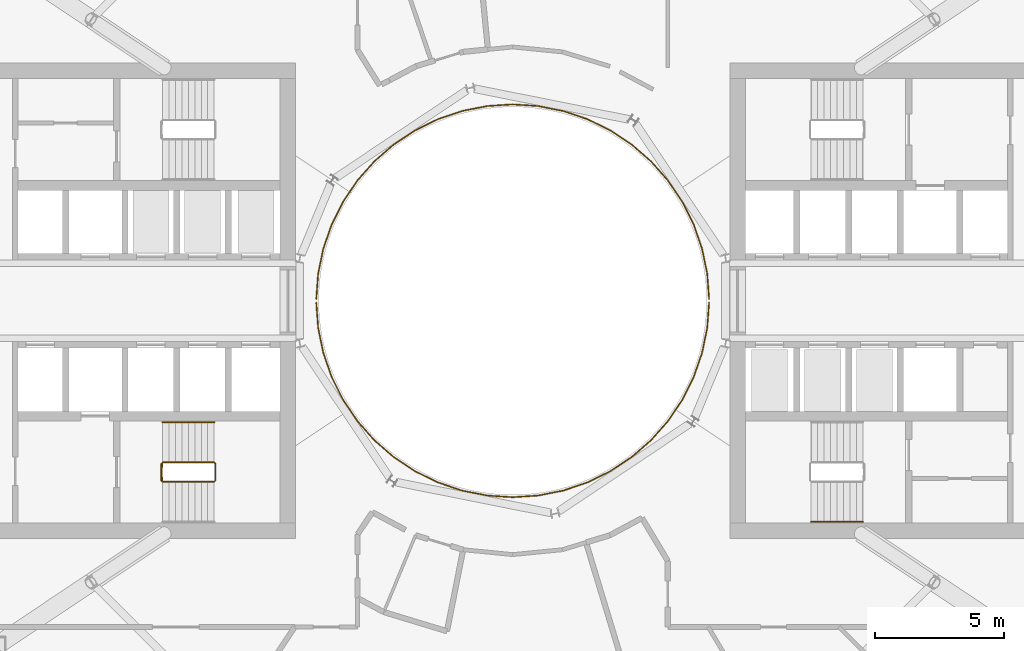
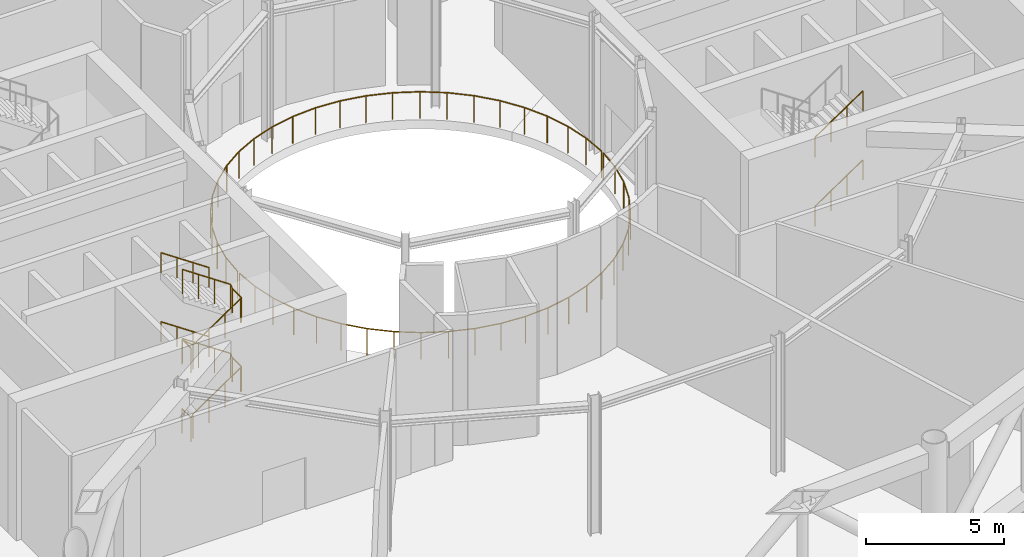
# One storey, part 21 of 25: 7 railings.
"""IFC4 building model written with IfcOpenShell, lengths in metres."""

from ifc_helpers import new_model, si_unit, direction, frame, origin, origin_2d, place, context, subcontext, project, spatial, circle, extrude, material, type_object, element, save


model = new_model("IFC4")

# Units and contexts
model_context = context("Model", 3, precision=1e-05, world=origin(), true_north=direction((0.0, 1.0)))
body_context = subcontext(model_context, "Body", "Model", "MODEL_VIEW")
ifc_project = project(units=[si_unit("LENGTHUNIT", "METRE"), si_unit("AREAUNIT", "SQUARE_METRE"), si_unit("VOLUMEUNIT", "CUBIC_METRE"), si_unit("PLANEANGLEUNIT", "RADIAN"), si_unit("MASSUNIT", "GRAM", prefix="KILO")], contexts=[model_context])

# Site, building, storey
site_placement = place(None, origin())
site = spatial("IfcSite", under=ifc_project, at=site_placement, CompositionType="ELEMENT")
building_placement = place(site_placement, origin())
building = spatial("IfcBuilding", under=site, at=building_placement, Name="Maasbend Ring Residences", CompositionType="ELEMENT")
storey_placement = place(building_placement, frame((0.0, 0.0, 139.10009765625)))
storey = spatial("IfcBuildingStorey", under=building, at=storey_placement, Name="L40", CompositionType="ELEMENT", Elevation=139.10009765625)

# Railings
ifc_material_1 = material(Name="Stainless steel 316 and glass", Category="steel")
railing_type_1 = type_object("IfcRailingType", Name="RL-GUARD", PredefinedType="GUARDRAIL", material=ifc_material_1)
railing_1_placement = place(storey_placement, frame((7.599609375, 0.06640625, 0.0)))
element("IfcRailing", 1, at=railing_1_placement, inside=storey, type_object=railing_type_1, Name="Garden guard well 1", PredefinedType="GUARDRAIL", context=body_context, shape_type="SweptSolid", body=[
    extrude(circle(Radius=0.02490234375, at=origin_2d()), frame((0.0, 0.0, 1.1748046875), z_axis=(-0.073598762792, 0.997287933405, 0.0), x_axis=(-0.997287933405, -0.073598762792, 0.0)), (0.0, 0.0, 1.0), 0.988525390625),
    extrude(circle(Radius=0.02490234375, at=origin_2d()), frame((-0.07275390625, 0.98583984375, 1.1748046875), z_axis=(-0.202760766137, 0.979228304184, 0.0), x_axis=(-0.979228304184, -0.202760766137, 0.0)), (0.0, 0.0, 1.0), 0.988525390625),
    extrude(circle(Radius=0.02490234375, at=origin_2d()), frame((-0.273193359375, 1.953857421875, 1.1748046875), z_axis=(-0.327907631853, 0.944709788757, 0.0), x_axis=(-0.944709788757, -0.327907631853, 0.0)), (0.0, 0.0, 1.0), 0.98876953125),
    extrude(circle(Radius=0.02490234375, at=origin_2d()), frame((-0.597412109375, 2.887939453125, 1.1748046875), z_axis=(-0.447806291046, 0.894130597676, 0.0), x_axis=(-0.894130597676, -0.447806291046, 0.0)), (0.0, 0.0, 1.0), 0.988525390625),
    extrude(circle(Radius=0.02490234375, at=origin_2d()), frame((-1.0400390625, 3.771728515625, 1.1748046875), z_axis=(-0.560045259563, 0.828462013155, 0.0), x_axis=(-0.828462013155, -0.560045259563, 0.0)), (0.0, 0.0, 1.0), 0.98876953125),
    extrude(circle(Radius=0.02490234375, at=origin_2d()), frame((-1.59375, 4.5908203125, 1.1748046875), z_axis=(-0.662829611997, 0.748770262137, 0.0), x_axis=(-0.748770262137, -0.662829611997, 0.0)), (0.0, 0.0, 1.0), 0.988525390625),
    extrude(circle(Radius=0.02490234375, at=origin_2d()), frame((-2.2490234375, 5.3310546875, 1.1748046875), z_axis=(-0.754424735376, 0.656386561908, 0.0), x_axis=(-0.656386561908, -0.754424735376, 0.0)), (0.0, 0.0, 1.0), 0.988525390625),
    extrude(circle(Radius=0.02490234375, at=origin_2d()), frame((-2.994873046875, 5.97998046875, 1.1748046875), z_axis=(-0.833415421364, 0.552647026078, 0.0), x_axis=(-0.552647026078, -0.833415421364, 0.0)), (0.0, 0.0, 1.0), 0.98876953125),
    extrude(circle(Radius=0.02490234375, at=origin_2d()), frame((-3.81884765625, 6.5263671875, 1.1748046875), z_axis=(-0.89795516916, 0.440086939341, 0.0), x_axis=(-0.440086939341, -0.89795516916, 0.0)), (0.0, 0.0, 1.0), 0.988525390625),
    extrude(circle(Radius=0.02490234375, at=origin_2d()), frame((-4.70654296875, 6.96142578125, 1.1748046875), z_axis=(-0.947491343753, 0.31978141521, 0.0), x_axis=(-0.31978141521, -0.947491343753, 0.0)), (0.0, 0.0, 1.0), 0.98876953125),
    extrude(circle(Radius=0.02490234375, at=origin_2d()), frame((-5.643310546875, 7.277587890625, 1.1748046875), z_axis=(-0.981024607585, 0.193883262073, 0.0), x_axis=(-0.193883262073, -0.981024607585, 0.0)), (0.0, 0.0, 1.0), 0.988525390625),
    extrude(circle(Radius=0.02490234375, at=origin_2d()), frame((-6.613037109375, 7.46923828125, 1.1748046875), z_axis=(-0.997872778693, 0.06519139163, 0.0), x_axis=(-0.06519139163, -0.997872778693, 0.0)), (0.0, 0.0, 1.0), 0.98876953125),
    extrude(circle(Radius=0.02490234375, at=origin_2d()), frame((-7.599609375, 7.53369140625, 1.1748046875), z_axis=(-0.997872778693, -0.06519139163, 0.0), x_axis=(0.06519139163, -0.997872778693, 0.0)), (0.0, 0.0, 1.0), 0.98876953125),
    extrude(circle(Radius=0.02490234375, at=origin_2d()), frame((-8.586181640625, 7.46923828125, 1.1748046875), z_axis=(-0.981024607585, -0.193883262073, 0.0), x_axis=(0.193883262073, -0.981024607585, 0.0)), (0.0, 0.0, 1.0), 0.988525390625),
    extrude(circle(Radius=0.02490234375, at=origin_2d()), frame((-9.555908203125, 7.277587890625, 1.1748046875), z_axis=(-0.947491343753, -0.31978141521, 0.0), x_axis=(0.31978141521, -0.947491343753, 0.0)), (0.0, 0.0, 1.0), 0.98876953125),
    extrude(circle(Radius=0.02490234375, at=origin_2d()), frame((-10.49267578125, 6.96142578125, 1.1748046875), z_axis=(-0.89795516916, -0.440086939341, 0.0), x_axis=(0.440086939341, -0.89795516916, 0.0)), (0.0, 0.0, 1.0), 0.988525390625),
    extrude(circle(Radius=0.02490234375, at=origin_2d()), frame((-11.38037109375, 6.5263671875, 1.1748046875), z_axis=(-0.833415421364, -0.552647026078, 0.0), x_axis=(0.552647026078, -0.833415421364, 0.0)), (0.0, 0.0, 1.0), 0.98876953125),
    extrude(circle(Radius=0.02490234375, at=origin_2d()), frame((-12.204345703125, 5.97998046875, 1.1748046875), z_axis=(-0.754424735376, -0.656386561908, 0.0), x_axis=(0.656386561908, -0.754424735376, 0.0)), (0.0, 0.0, 1.0), 0.988525390625),
    extrude(circle(Radius=0.02490234375, at=origin_2d()), frame((-12.9501953125, 5.3310546875, 1.1748046875), z_axis=(-0.662829611997, -0.748770262137, 0.0), x_axis=(0.748770262137, -0.662829611997, 0.0)), (0.0, 0.0, 1.0), 0.988525390625),
    extrude(circle(Radius=0.02490234375, at=origin_2d()), frame((-13.60546875, 4.5908203125, 1.1748046875), z_axis=(-0.560045259563, -0.828462013155, 0.0), x_axis=(0.828462013155, -0.560045259563, 0.0)), (0.0, 0.0, 1.0), 0.98876953125),
    extrude(circle(Radius=0.02490234375, at=origin_2d()), frame((-14.1591796875, 3.771728515625, 1.1748046875), z_axis=(-0.447806291046, -0.894130597676, 0.0), x_axis=(0.894130597676, -0.447806291046, 0.0)), (0.0, 0.0, 1.0), 0.988525390625),
    extrude(circle(Radius=0.02490234375, at=origin_2d()), frame((-14.601806640625, 2.887939453125, 1.1748046875), z_axis=(-0.327907631853, -0.944709788757, 0.0), x_axis=(0.944709788757, -0.327907631853, 0.0)), (0.0, 0.0, 1.0), 0.98876953125),
    extrude(circle(Radius=0.02490234375, at=origin_2d()), frame((-14.926025390625, 1.953857421875, 1.1748046875), z_axis=(-0.202760766137, -0.979228304184, 0.0), x_axis=(0.979228304184, -0.202760766137, 0.0)), (0.0, 0.0, 1.0), 0.988525390625),
    extrude(circle(Radius=0.02490234375, at=origin_2d()), frame((-15.12646484375, 0.98583984375, 1.1748046875), z_axis=(-0.073598762792, -0.997287933405, 0.0), x_axis=(0.997287933405, -0.073598762792, 0.0)), (0.0, 0.0, 1.0), 0.988525390625),
    extrude(circle(Radius=0.02001953125, at=origin_2d()), origin(), (0.0, 0.0, 1.0), 1.14990234375),
    extrude(circle(Radius=0.02001953125, at=origin_2d()), frame((-0.07275390625, 0.98583984375, 0.0)), (0.0, 0.0, 1.0), 1.14990234375),
    extrude(circle(Radius=0.02001953125, at=origin_2d()), frame((-0.273193359375, 1.953857421875, 0.0)), (0.0, 0.0, 1.0), 1.14990234375),
    extrude(circle(Radius=0.02001953125, at=origin_2d()), frame((-0.597412109375, 2.887939453125, 0.0)), (0.0, 0.0, 1.0), 1.14990234375),
    extrude(circle(Radius=0.02001953125, at=origin_2d()), frame((-1.0400390625, 3.771728515625, 0.0)), (0.0, 0.0, 1.0), 1.14990234375),
    extrude(circle(Radius=0.02001953125, at=origin_2d()), frame((-1.59375, 4.5908203125, 0.0)), (0.0, 0.0, 1.0), 1.14990234375),
    extrude(circle(Radius=0.02001953125, at=origin_2d()), frame((-2.2490234375, 5.3310546875, 0.0)), (0.0, 0.0, 1.0), 1.14990234375),
    extrude(circle(Radius=0.02001953125, at=origin_2d()), frame((-2.994873046875, 5.97998046875, 0.0)), (0.0, 0.0, 1.0), 1.14990234375),
    extrude(circle(Radius=0.02001953125, at=origin_2d()), frame((-3.81884765625, 6.5263671875, 0.0)), (0.0, 0.0, 1.0), 1.14990234375),
    extrude(circle(Radius=0.02001953125, at=origin_2d()), frame((-4.70654296875, 6.96142578125, 0.0)), (0.0, 0.0, 1.0), 1.14990234375),
    extrude(circle(Radius=0.02001953125, at=origin_2d()), frame((-5.643310546875, 7.277587890625, 0.0)), (0.0, 0.0, 1.0), 1.14990234375),
    extrude(circle(Radius=0.02001953125, at=origin_2d()), frame((-6.613037109375, 7.46923828125, 0.0)), (0.0, 0.0, 1.0), 1.14990234375),
    extrude(circle(Radius=0.02001953125, at=origin_2d()), frame((-7.599609375, 7.53369140625, 0.0)), (0.0, 0.0, 1.0), 1.14990234375),
    extrude(circle(Radius=0.02001953125, at=origin_2d()), frame((-8.586181640625, 7.46923828125, 0.0)), (0.0, 0.0, 1.0), 1.14990234375),
    extrude(circle(Radius=0.02001953125, at=origin_2d()), frame((-9.555908203125, 7.277587890625, 0.0)), (0.0, 0.0, 1.0), 1.14990234375),
    extrude(circle(Radius=0.02001953125, at=origin_2d()), frame((-10.49267578125, 6.96142578125, 0.0)), (0.0, 0.0, 1.0), 1.14990234375),
    extrude(circle(Radius=0.02001953125, at=origin_2d()), frame((-11.38037109375, 6.5263671875, 0.0)), (0.0, 0.0, 1.0), 1.14990234375),
    extrude(circle(Radius=0.02001953125, at=origin_2d()), frame((-12.204345703125, 5.97998046875, 0.0)), (0.0, 0.0, 1.0), 1.14990234375),
    extrude(circle(Radius=0.02001953125, at=origin_2d()), frame((-12.9501953125, 5.3310546875, 0.0)), (0.0, 0.0, 1.0), 1.14990234375),
    extrude(circle(Radius=0.02001953125, at=origin_2d()), frame((-13.60546875, 4.5908203125, 0.0)), (0.0, 0.0, 1.0), 1.14990234375),
    extrude(circle(Radius=0.02001953125, at=origin_2d()), frame((-14.1591796875, 3.771728515625, 0.0)), (0.0, 0.0, 1.0), 1.14990234375),
    extrude(circle(Radius=0.02001953125, at=origin_2d()), frame((-14.601806640625, 2.887939453125, 0.0)), (0.0, 0.0, 1.0), 1.14990234375),
    extrude(circle(Radius=0.02001953125, at=origin_2d()), frame((-14.926025390625, 1.953857421875, 0.0)), (0.0, 0.0, 1.0), 1.14990234375),
    extrude(circle(Radius=0.02001953125, at=origin_2d()), frame((-15.12646484375, 0.98583984375, 0.0)), (0.0, 0.0, 1.0), 1.14990234375),
    extrude(circle(Radius=0.02001953125, at=origin_2d()), frame((-15.19921875, 0.0, 0.0)), (0.0, 0.0, 1.0), 1.14990234375),
])
railing_2_placement = place(storey_placement, frame((-7.599609375, -0.06640625, 0.0)))
element("IfcRailing", 2, at=railing_2_placement, inside=storey, type_object=railing_type_1, Name="Garden guard well 2", PredefinedType="GUARDRAIL", context=body_context, shape_type="SweptSolid", body=[
    extrude(circle(Radius=0.02490234375, at=origin_2d()), frame((0.0, 0.0, 1.1748046875), z_axis=(0.073598762792, -0.997287933405, 0.0), x_axis=(0.997287933405, 0.073598762792, 0.0)), (0.0, 0.0, 1.0), 0.988525390625),
    extrude(circle(Radius=0.02490234375, at=origin_2d()), frame((0.07275390625, -0.98583984375, 1.1748046875), z_axis=(0.202760766137, -0.979228304184, 0.0), x_axis=(0.979228304184, 0.202760766137, 0.0)), (0.0, 0.0, 1.0), 0.988525390625),
    extrude(circle(Radius=0.02490234375, at=origin_2d()), frame((0.273193359375, -1.953857421875, 1.1748046875), z_axis=(0.327907631853, -0.944709788757, 0.0), x_axis=(0.944709788757, 0.327907631853, 0.0)), (0.0, 0.0, 1.0), 0.98876953125),
    extrude(circle(Radius=0.02490234375, at=origin_2d()), frame((0.597412109375, -2.887939453125, 1.1748046875), z_axis=(0.447806291046, -0.894130597676, 0.0), x_axis=(0.894130597676, 0.447806291046, 0.0)), (0.0, 0.0, 1.0), 0.988525390625),
    extrude(circle(Radius=0.02490234375, at=origin_2d()), frame((1.0400390625, -3.771728515625, 1.1748046875), z_axis=(0.560045259563, -0.828462013155, 0.0), x_axis=(0.828462013155, 0.560045259563, 0.0)), (0.0, 0.0, 1.0), 0.98876953125),
    extrude(circle(Radius=0.02490234375, at=origin_2d()), frame((1.59375, -4.5908203125, 1.1748046875), z_axis=(0.662829611997, -0.748770262137, 0.0), x_axis=(0.748770262137, 0.662829611997, 0.0)), (0.0, 0.0, 1.0), 0.988525390625),
    extrude(circle(Radius=0.02490234375, at=origin_2d()), frame((2.2490234375, -5.3310546875, 1.1748046875), z_axis=(0.754424735376, -0.656386561908, 0.0), x_axis=(0.656386561908, 0.754424735376, 0.0)), (0.0, 0.0, 1.0), 0.988525390625),
    extrude(circle(Radius=0.02490234375, at=origin_2d()), frame((2.994873046875, -5.97998046875, 1.1748046875), z_axis=(0.833415421364, -0.552647026078, 0.0), x_axis=(0.552647026078, 0.833415421364, 0.0)), (0.0, 0.0, 1.0), 0.98876953125),
    extrude(circle(Radius=0.02490234375, at=origin_2d()), frame((3.81884765625, -6.5263671875, 1.1748046875), z_axis=(0.89795516916, -0.440086939341, 0.0), x_axis=(0.440086939341, 0.89795516916, 0.0)), (0.0, 0.0, 1.0), 0.988525390625),
    extrude(circle(Radius=0.02490234375, at=origin_2d()), frame((4.70654296875, -6.96142578125, 1.1748046875), z_axis=(0.947491343753, -0.31978141521, 0.0), x_axis=(0.31978141521, 0.947491343753, 0.0)), (0.0, 0.0, 1.0), 0.98876953125),
    extrude(circle(Radius=0.02490234375, at=origin_2d()), frame((5.643310546875, -7.277587890625, 1.1748046875), z_axis=(0.981024607585, -0.193883262073, 0.0), x_axis=(0.193883262073, 0.981024607585, 0.0)), (0.0, 0.0, 1.0), 0.988525390625),
    extrude(circle(Radius=0.02490234375, at=origin_2d()), frame((6.613037109375, -7.46923828125, 1.1748046875), z_axis=(0.997872778693, -0.06519139163, 0.0), x_axis=(0.06519139163, 0.997872778693, 0.0)), (0.0, 0.0, 1.0), 0.98876953125),
    extrude(circle(Radius=0.02490234375, at=origin_2d()), frame((7.599609375, -7.53369140625, 1.1748046875), z_axis=(0.997872778693, 0.06519139163, 0.0), x_axis=(-0.06519139163, 0.997872778693, 0.0)), (0.0, 0.0, 1.0), 0.98876953125),
    extrude(circle(Radius=0.02490234375, at=origin_2d()), frame((8.586181640625, -7.46923828125, 1.1748046875), z_axis=(0.981024607585, 0.193883262073, 0.0), x_axis=(-0.193883262073, 0.981024607585, 0.0)), (0.0, 0.0, 1.0), 0.988525390625),
    extrude(circle(Radius=0.02490234375, at=origin_2d()), frame((9.555908203125, -7.277587890625, 1.1748046875), z_axis=(0.947491343753, 0.31978141521, 0.0), x_axis=(-0.31978141521, 0.947491343753, 0.0)), (0.0, 0.0, 1.0), 0.98876953125),
    extrude(circle(Radius=0.02490234375, at=origin_2d()), frame((10.49267578125, -6.96142578125, 1.1748046875), z_axis=(0.89795516916, 0.440086939341, 0.0), x_axis=(-0.440086939341, 0.89795516916, 0.0)), (0.0, 0.0, 1.0), 0.988525390625),
    extrude(circle(Radius=0.02490234375, at=origin_2d()), frame((11.38037109375, -6.5263671875, 1.1748046875), z_axis=(0.833415421364, 0.552647026078, 0.0), x_axis=(-0.552647026078, 0.833415421364, 0.0)), (0.0, 0.0, 1.0), 0.98876953125),
    extrude(circle(Radius=0.02490234375, at=origin_2d()), frame((12.204345703125, -5.97998046875, 1.1748046875), z_axis=(0.754424735376, 0.656386561908, 0.0), x_axis=(-0.656386561908, 0.754424735376, 0.0)), (0.0, 0.0, 1.0), 0.988525390625),
    extrude(circle(Radius=0.02490234375, at=origin_2d()), frame((12.9501953125, -5.3310546875, 1.1748046875), z_axis=(0.662829611997, 0.748770262137, 0.0), x_axis=(-0.748770262137, 0.662829611997, 0.0)), (0.0, 0.0, 1.0), 0.988525390625),
    extrude(circle(Radius=0.02490234375, at=origin_2d()), frame((13.60546875, -4.5908203125, 1.1748046875), z_axis=(0.560045259563, 0.828462013155, 0.0), x_axis=(-0.828462013155, 0.560045259563, 0.0)), (0.0, 0.0, 1.0), 0.98876953125),
    extrude(circle(Radius=0.02490234375, at=origin_2d()), frame((14.1591796875, -3.771728515625, 1.1748046875), z_axis=(0.447806291046, 0.894130597676, 0.0), x_axis=(-0.894130597676, 0.447806291046, 0.0)), (0.0, 0.0, 1.0), 0.988525390625),
    extrude(circle(Radius=0.02490234375, at=origin_2d()), frame((14.601806640625, -2.887939453125, 1.1748046875), z_axis=(0.327907631853, 0.944709788757, 0.0), x_axis=(-0.944709788757, 0.327907631853, 0.0)), (0.0, 0.0, 1.0), 0.98876953125),
    extrude(circle(Radius=0.02490234375, at=origin_2d()), frame((14.926025390625, -1.953857421875, 1.1748046875), z_axis=(0.202760766137, 0.979228304184, 0.0), x_axis=(-0.979228304184, 0.202760766137, 0.0)), (0.0, 0.0, 1.0), 0.988525390625),
    extrude(circle(Radius=0.02490234375, at=origin_2d()), frame((15.12646484375, -0.98583984375, 1.1748046875), z_axis=(0.073598762792, 0.997287933405, 0.0), x_axis=(-0.997287933405, 0.073598762792, 0.0)), (0.0, 0.0, 1.0), 0.988525390625),
    extrude(circle(Radius=0.02001953125, at=origin_2d()), origin(), (0.0, 0.0, 1.0), 1.14990234375),
    extrude(circle(Radius=0.02001953125, at=origin_2d()), frame((0.07275390625, -0.98583984375, 0.0)), (0.0, 0.0, 1.0), 1.14990234375),
    extrude(circle(Radius=0.02001953125, at=origin_2d()), frame((0.273193359375, -1.953857421875, 0.0)), (0.0, 0.0, 1.0), 1.14990234375),
    extrude(circle(Radius=0.02001953125, at=origin_2d()), frame((0.597412109375, -2.887939453125, 0.0)), (0.0, 0.0, 1.0), 1.14990234375),
    extrude(circle(Radius=0.02001953125, at=origin_2d()), frame((1.0400390625, -3.771728515625, 0.0)), (0.0, 0.0, 1.0), 1.14990234375),
    extrude(circle(Radius=0.02001953125, at=origin_2d()), frame((1.59375, -4.5908203125, 0.0)), (0.0, 0.0, 1.0), 1.14990234375),
    extrude(circle(Radius=0.02001953125, at=origin_2d()), frame((2.2490234375, -5.3310546875, 0.0)), (0.0, 0.0, 1.0), 1.14990234375),
    extrude(circle(Radius=0.02001953125, at=origin_2d()), frame((2.994873046875, -5.97998046875, 0.0)), (0.0, 0.0, 1.0), 1.14990234375),
    extrude(circle(Radius=0.02001953125, at=origin_2d()), frame((3.81884765625, -6.5263671875, 0.0)), (0.0, 0.0, 1.0), 1.14990234375),
    extrude(circle(Radius=0.02001953125, at=origin_2d()), frame((4.70654296875, -6.96142578125, 0.0)), (0.0, 0.0, 1.0), 1.14990234375),
    extrude(circle(Radius=0.02001953125, at=origin_2d()), frame((5.643310546875, -7.277587890625, 0.0)), (0.0, 0.0, 1.0), 1.14990234375),
    extrude(circle(Radius=0.02001953125, at=origin_2d()), frame((6.613037109375, -7.46923828125, 0.0)), (0.0, 0.0, 1.0), 1.14990234375),
    extrude(circle(Radius=0.02001953125, at=origin_2d()), frame((7.599609375, -7.53369140625, 0.0)), (0.0, 0.0, 1.0), 1.14990234375),
    extrude(circle(Radius=0.02001953125, at=origin_2d()), frame((8.586181640625, -7.46923828125, 0.0)), (0.0, 0.0, 1.0), 1.14990234375),
    extrude(circle(Radius=0.02001953125, at=origin_2d()), frame((9.555908203125, -7.277587890625, 0.0)), (0.0, 0.0, 1.0), 1.14990234375),
    extrude(circle(Radius=0.02001953125, at=origin_2d()), frame((10.49267578125, -6.96142578125, 0.0)), (0.0, 0.0, 1.0), 1.14990234375),
    extrude(circle(Radius=0.02001953125, at=origin_2d()), frame((11.38037109375, -6.5263671875, 0.0)), (0.0, 0.0, 1.0), 1.14990234375),
    extrude(circle(Radius=0.02001953125, at=origin_2d()), frame((12.204345703125, -5.97998046875, 0.0)), (0.0, 0.0, 1.0), 1.14990234375),
    extrude(circle(Radius=0.02001953125, at=origin_2d()), frame((12.9501953125, -5.3310546875, 0.0)), (0.0, 0.0, 1.0), 1.14990234375),
    extrude(circle(Radius=0.02001953125, at=origin_2d()), frame((13.60546875, -4.5908203125, 0.0)), (0.0, 0.0, 1.0), 1.14990234375),
    extrude(circle(Radius=0.02001953125, at=origin_2d()), frame((14.1591796875, -3.771728515625, 0.0)), (0.0, 0.0, 1.0), 1.14990234375),
    extrude(circle(Radius=0.02001953125, at=origin_2d()), frame((14.601806640625, -2.887939453125, 0.0)), (0.0, 0.0, 1.0), 1.14990234375),
    extrude(circle(Radius=0.02001953125, at=origin_2d()), frame((14.926025390625, -1.953857421875, 0.0)), (0.0, 0.0, 1.0), 1.14990234375),
    extrude(circle(Radius=0.02001953125, at=origin_2d()), frame((15.12646484375, -0.98583984375, 0.0)), (0.0, 0.0, 1.0), 1.14990234375),
    extrude(circle(Radius=0.02001953125, at=origin_2d()), frame((15.19921875, 0.0, 0.0)), (0.0, 0.0, 1.0), 1.14990234375),
])
ifc_material_2 = material(Name="Stainless steel 316", Category="steel")
railing_type_2 = type_object("IfcRailingType", Name="STAIR GUARD 1100", PredefinedType="GUARDRAIL", material=ifc_material_2)
railing_3_placement = place(storey_placement, frame((-13.60009765625, -6.300048828125, 0.0)))
element("IfcRailing", 3, at=railing_3_placement, inside=storey, type_object=railing_type_2, Name="L40 ST-W1 stair guard 1", PredefinedType="GUARDRAIL", context=body_context, shape_type="SweptSolid", body=[
    extrude(circle(Radius=0.02392578125, at=origin_2d()), frame((0.0, 0.0, 1.076171875), z_axis=(0.0, -1.0, 0.0), x_axis=(1.0, 0.0, 0.0)), (0.0, 0.0, 1.0), 0.64990234375),
    extrude(circle(Radius=0.02392578125, at=origin_2d()), frame((0.0, -0.64990234375, 1.076171875), z_axis=(0.272562526181, -0.272562526181, 0.92272386912), x_axis=(0.707106781187, 0.707106781187, 0.0)), (0.0, 0.0, 1.0), 0.18359375),
    extrude(circle(Radius=0.02392578125, at=origin_2d()), frame((0.050048828125, -0.699951171875, 1.24560546875), z_axis=(0.827797584762, 0.0, 0.561026878735), x_axis=(0.0, 1.0, 0.0)), (0.0, 0.0, 1.0), 2.416015625),
    extrude(circle(Radius=0.02392578125, at=origin_2d()), frame((2.050048828125, -0.699951171875, 2.60107421875), z_axis=(0.707106781187, 0.707106781187, 0.0), x_axis=(-0.707106781187, 0.707106781187, 0.0)), (0.0, 0.0, 1.0), 0.07080078125),
    extrude(circle(Radius=0.02392578125, at=origin_2d()), frame((2.10009765625, -0.64990234375, 2.60107421875), z_axis=(0.0, 1.0, 0.0), x_axis=(-1.0, 0.0, 0.0)), (0.0, 0.0, 1.0), 0.64990234375),
    extrude(circle(Radius=0.02392578125, at=origin_2d()), frame((2.10009765625, 0.0, 2.60107421875), z_axis=(-0.272562526181, 0.272562526181, 0.92272386912), x_axis=(-0.707106781187, -0.707106781187, 0.0)), (0.0, 0.0, 1.0), 0.18359375),
    extrude(circle(Radius=0.02392578125, at=origin_2d()), frame((2.050048828125, 0.050048828125, 2.7705078125), z_axis=(-0.827797584762, 0.0, 0.561026878735), x_axis=(0.0, -1.0, 0.0)), (0.0, 0.0, 1.0), 2.416015625),
    extrude(circle(Radius=0.02392578125, at=origin_2d()), frame((0.050048828125, 0.050048828125, 4.1259765625), z_axis=(-0.071321223157, -0.997453398975, 0.0), x_axis=(0.997453398975, -0.071321223157, 0.0)), (0.0, 0.0, 1.0), 0.70166015625),
    extrude(circle(Radius=0.02392578125, at=origin_2d()), frame((0.0, -0.64990234375, 4.1259765625), z_axis=(0.0, 1.0, 0.0), x_axis=(-1.0, 0.0, 0.0)), (0.0, 0.0, 1.0), 0.64990234375),
    extrude(circle(Radius=0.02392578125, at=origin_2d()), frame((0.0, 0.0, 4.1259765625), z_axis=(0.069328998915, -0.969591414091, 0.234704025594), x_axis=(0.997453398975, 0.071321223157, 0.0)), (0.0, 0.0, 1.0), 0.721923828125),
    extrude(circle(Radius=0.02392578125, at=origin_2d()), frame((0.050048828125, -0.699951171875, 4.29541015625), z_axis=(0.827750655447, 0.0, 0.561096116906), x_axis=(0.0, 1.0, 0.0)), (0.0, 0.0, 1.0), 2.416259765625),
    extrude(circle(Radius=0.02392578125, at=origin_2d()), frame((2.050048828125, -0.699951171875, 5.65087890625), z_axis=(0.707106781187, 0.707106781187, 0.0), x_axis=(-0.707106781187, 0.707106781187, 0.0)), (0.0, 0.0, 1.0), 0.07080078125),
    extrude(circle(Radius=0.02392578125, at=origin_2d()), frame((2.10009765625, -0.64990234375, 5.65087890625), z_axis=(0.0, 1.0, 0.0), x_axis=(-1.0, 0.0, 0.0)), (0.0, 0.0, 1.0), 0.64990234375),
    extrude(circle(Radius=0.02392578125, at=origin_2d()), frame((2.10009765625, 0.0, 5.65087890625), z_axis=(-0.272562526181, 0.272562526181, 0.92272386912), x_axis=(-0.707106781187, -0.707106781187, 0.0)), (0.0, 0.0, 1.0), 0.18359375),
    extrude(circle(Radius=0.02392578125, at=origin_2d()), frame((2.050048828125, 0.050048828125, 5.8203125), z_axis=(-0.827797584762, 0.0, 0.561026878735), x_axis=(0.0, -1.0, 0.0)), (0.0, 0.0, 1.0), 2.416015625),
    extrude(circle(Radius=0.02099609375, at=origin_2d()), origin(), (0.0, 0.0, 1.0), 1.052001953125),
    extrude(circle(Radius=0.02099609375, at=origin_2d()), frame((0.0, -0.64990234375, 0.0)), (0.0, 0.0, 1.0), 1.052001953125),
    extrude(circle(Radius=0.02099609375, at=origin_2d()), frame((0.050048828125, -0.699951171875, 0.16943359375)), (0.0, 0.0, 1.0), 1.052001953125),
    extrude(circle(Radius=0.02099609375, at=origin_2d()), frame((0.716796875, -0.699951171875, 0.621337890625)), (0.0, 0.0, 1.0), 1.052001953125),
    extrude(circle(Radius=0.02099609375, at=origin_2d()), frame((1.38330078125, -0.699951171875, 1.072998046875)), (0.0, 0.0, 1.0), 1.052001953125),
    extrude(circle(Radius=0.02099609375, at=origin_2d()), frame((2.050048828125, -0.699951171875, 1.52490234375)), (0.0, 0.0, 1.0), 1.052001953125),
    extrude(circle(Radius=0.02099609375, at=origin_2d()), frame((2.10009765625, -0.64990234375, 1.52490234375)), (0.0, 0.0, 1.0), 1.052001953125),
    extrude(circle(Radius=0.02099609375, at=origin_2d()), frame((2.10009765625, 0.0, 1.52490234375)), (0.0, 0.0, 1.0), 1.052001953125),
    extrude(circle(Radius=0.02099609375, at=origin_2d()), frame((2.050048828125, 0.050048828125, 1.6943359375)), (0.0, 0.0, 1.0), 1.052001953125),
    extrude(circle(Radius=0.02099609375, at=origin_2d()), frame((1.38330078125, 0.050048828125, 2.146240234375)), (0.0, 0.0, 1.0), 1.052001953125),
    extrude(circle(Radius=0.02099609375, at=origin_2d()), frame((0.716796875, 0.050048828125, 2.597900390625)), (0.0, 0.0, 1.0), 1.052001953125),
    extrude(circle(Radius=0.02099609375, at=origin_2d()), frame((0.050048828125, 0.050048828125, 3.0498046875)), (0.0, 0.0, 1.0), 1.052001953125),
    extrude(circle(Radius=0.02099609375, at=origin_2d()), frame((0.0, -0.64990234375, 3.0498046875)), (0.0, 0.0, 1.0), 1.052001953125),
    extrude(circle(Radius=0.02099609375, at=origin_2d()), frame((0.0, 0.0, 3.0498046875)), (0.0, 0.0, 1.0), 1.052001953125),
    extrude(circle(Radius=0.02099609375, at=origin_2d()), frame((0.050048828125, -0.699951171875, 3.21923828125)), (0.0, 0.0, 1.0), 1.052001953125),
    extrude(circle(Radius=0.02099609375, at=origin_2d()), frame((0.716796875, -0.699951171875, 3.671142578125)), (0.0, 0.0, 1.0), 1.052001953125),
    extrude(circle(Radius=0.02099609375, at=origin_2d()), frame((1.38330078125, -0.699951171875, 4.123046875)), (0.0, 0.0, 1.0), 1.052001953125),
    extrude(circle(Radius=0.02099609375, at=origin_2d()), frame((2.050048828125, -0.699951171875, 4.574951171875)), (0.0, 0.0, 1.0), 1.052001953125),
    extrude(circle(Radius=0.02099609375, at=origin_2d()), frame((2.10009765625, -0.64990234375, 4.574951171875)), (0.0, 0.0, 1.0), 1.052001953125),
    extrude(circle(Radius=0.02099609375, at=origin_2d()), frame((2.10009765625, 0.0, 4.574951171875)), (0.0, 0.0, 1.0), 1.052001953125),
    extrude(circle(Radius=0.02099609375, at=origin_2d()), frame((2.050048828125, 0.050048828125, 4.744384765625)), (0.0, 0.0, 1.0), 1.052001953125),
    extrude(circle(Radius=0.02099609375, at=origin_2d()), frame((1.38330078125, 0.050048828125, 5.1962890625)), (0.0, 0.0, 1.0), 1.052001953125),
    extrude(circle(Radius=0.02099609375, at=origin_2d()), frame((0.716796875, 0.050048828125, 5.64794921875)), (0.0, 0.0, 1.0), 1.052001953125),
    extrude(circle(Radius=0.02099609375, at=origin_2d()), frame((0.050048828125, 0.050048828125, 6.099853515625)), (0.0, 0.0, 1.0), 1.052001953125),
])
ifc_material_3 = material(Name="Stainless steel 316", Category="steel")
railing_type_3 = type_object("IfcRailingType", Name="STAIR HANDRAIL 900", PredefinedType="HANDRAIL", material=ifc_material_3)
for number, where, name in (
    (4, (11.550048828125, -8.550048828125, 1.6943359375), "L40 ST-E2 stair handrail 2"),
    (5, (11.550048828125, -8.550048828125, 4.744384765625), "L40 ST-E2 stair handrail 4"),
):
    element("IfcRailing", number, at=place(storey_placement, frame(where)), inside=storey, type_object=railing_type_3, Name=name, PredefinedType="HANDRAIL", context=body_context, shape_type="SweptSolid", body=[
        extrude(circle(Radius=0.02392578125, at=origin_2d()), frame((0.0, 0.0, 0.8759765625), z_axis=(0.827797584762, 0.0, 0.561026878735), x_axis=(0.0, 1.0, 0.0)), (0.0, 0.0, 1.0), 2.416015625),
        extrude(circle(Radius=0.02099609375, at=origin_2d()), origin(), (0.0, 0.0, 1.0), 0.851806640625),
        extrude(circle(Radius=0.02099609375, at=origin_2d()), frame((0.666748046875, 0.0, 0.451904296875)), (0.0, 0.0, 1.0), 0.851806640625),
        extrude(circle(Radius=0.02099609375, at=origin_2d()), frame((1.333251953125, 0.0, 0.903564453125)), (0.0, 0.0, 1.0), 0.851806640625),
        extrude(circle(Radius=0.02099609375, at=origin_2d()), frame((2.0, 0.0, 1.35546875)), (0.0, 0.0, 1.0), 0.851806640625),
    ])
for number, where, name in (
    (6, (-11.550048828125, -4.699951171875, 1.6943359375), "L40 ST-W1 stair handrail 2"),
    (7, (-11.550048828125, -4.699951171875, 4.744384765625), "L40 ST-W1 stair handrail 4"),
):
    element("IfcRailing", number, at=place(storey_placement, frame(where)), inside=storey, type_object=railing_type_3, Name=name, PredefinedType="HANDRAIL", context=body_context, shape_type="SweptSolid", body=[
        extrude(circle(Radius=0.02392578125, at=origin_2d()), frame((0.0, 0.0, 0.8759765625), z_axis=(-0.827797584762, 0.0, 0.561026878735), x_axis=(0.0, -1.0, 0.0)), (0.0, 0.0, 1.0), 2.416015625),
        extrude(circle(Radius=0.02099609375, at=origin_2d()), origin(), (0.0, 0.0, 1.0), 0.851806640625),
        extrude(circle(Radius=0.02099609375, at=origin_2d()), frame((-0.666748046875, 0.0, 0.451904296875)), (0.0, 0.0, 1.0), 0.851806640625),
        extrude(circle(Radius=0.02099609375, at=origin_2d()), frame((-1.333251953125, 0.0, 0.903564453125)), (0.0, 0.0, 1.0), 0.851806640625),
        extrude(circle(Radius=0.02099609375, at=origin_2d()), frame((-2.0, 0.0, 1.35546875)), (0.0, 0.0, 1.0), 0.851806640625),
    ])

save(model, "model.ifc")
